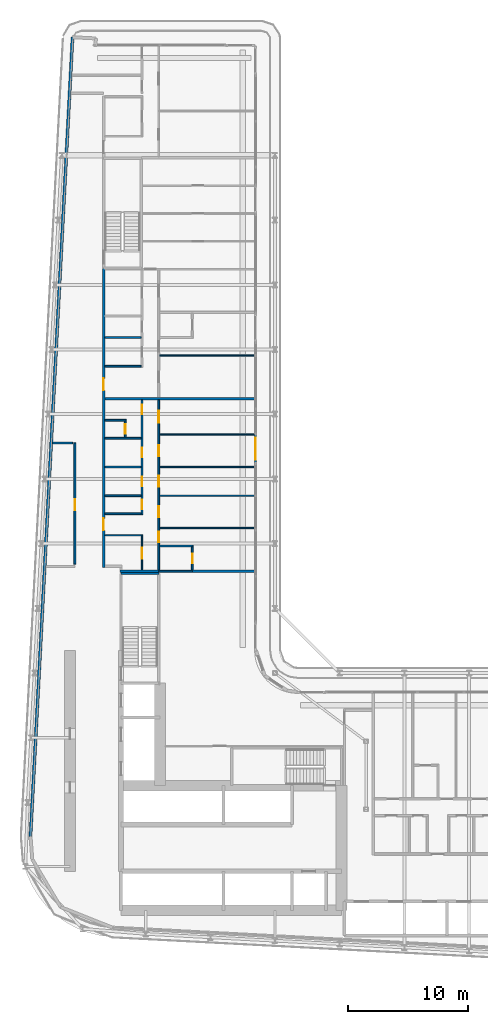
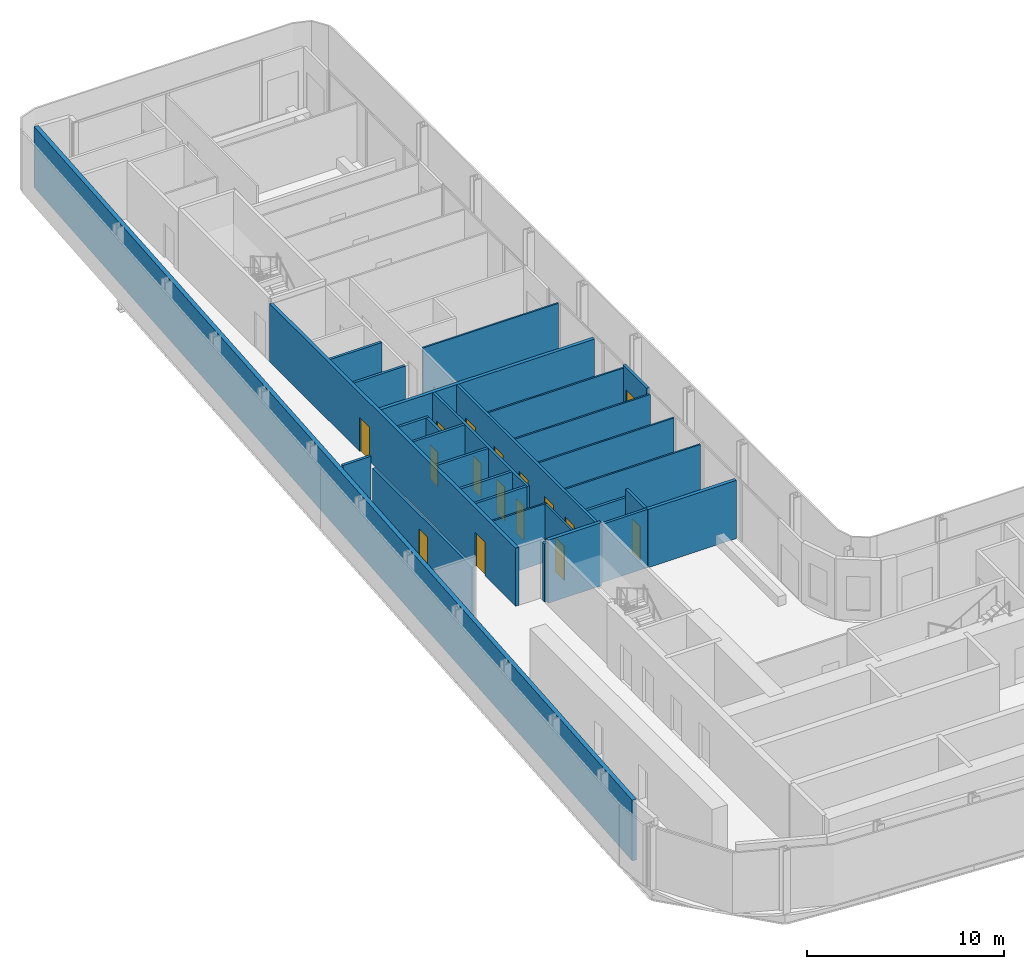
# One storey, part 18 of 29: 29 walls, 16 doors, 16 openings.
"""IFC4 building model written with IfcOpenShell, lengths in metres."""

from ifc_helpers import new_model, si_unit, direction, frame, frame_2d, origin, place, context, subcontext, project, spatial, rectangle, extrude, source, transform, mapped, material, layer, layer_set, type_object, element, fill, save


model = new_model("IFC4")

# Units and contexts
model_context = context("Model", 3, precision=1e-05, world=origin(), true_north=direction((0.0, 1.0)))
body_context = subcontext(model_context, "Body", "Model", "MODEL_VIEW")
ifc_project = project(units=[si_unit("LENGTHUNIT", "METRE"), si_unit("AREAUNIT", "SQUARE_METRE"), si_unit("VOLUMEUNIT", "CUBIC_METRE"), si_unit("PLANEANGLEUNIT", "RADIAN"), si_unit("MASSUNIT", "GRAM", prefix="KILO")], contexts=[model_context])

# Site, building, storey
site_placement = place(None, origin())
site = spatial("IfcSite", under=ifc_project, at=site_placement, CompositionType="ELEMENT")
building_placement = place(site_placement, origin())
building = spatial("IfcBuilding", under=site, at=building_placement, Name="Kheshtan School and Residences Tower", CompositionType="ELEMENT")
storey_placement = place(building_placement, frame((0.0, 0.0, 121.39990234375)))
storey = spatial("IfcBuildingStorey", under=building, at=storey_placement, Name="L28", CompositionType="ELEMENT", Elevation=121.39990234375)

# Wall, openings, doors
ifc_material_1 = material(Name="Gypsum board on steel studs with fire boards", Category="steel")
ifc_layer_1 = layer(ifc_material_1, 0.199951171875)
ifc_layer_set_1 = layer_set([ifc_layer_1], Name="Corridor wall 200")
wall_type_1 = type_object("IfcWallType", Name="Corridor wall 200", PredefinedType="PARTITIONING", material=ifc_layer_set_1)
wall_1_placement = place(storey_placement, frame((33.300048828125, 54.39990234375, 0.0), z_axis=(0.0, 0.0, 1.0), x_axis=(0.0, 1.0, 0.0)))
wall_1 = element("IfcWall", 1, at=wall_1_placement, inside=storey, type_object=wall_type_1, Name="Partition L28-003", PredefinedType="PARTITIONING", context=body_context, shape_type="SweptSolid", body=[
    extrude(rectangle(XDim=24.9501953125, YDim=0.199951171875, at=frame_2d((12.47509765625, 0.0))), origin(), (0.0, 0.0, 1.0), 3.60009765625),
])
opening_1_placement = place(wall_1_placement, frame((3.10009765625, 0.0, 0.0)))
opening_1 = element("IfcOpeningElement", 2, at=opening_1_placement, cuts=wall_1, Name="Opening D27-040", PredefinedType="OPENING", context=body_context, shape_type="SweptSolid", body=[
    extrude(rectangle(XDim=1.0, YDim=2.10009765625, at=frame_2d((0.5, 1.050048828125))), frame((0.0, 0.10986328125, 0.0), z_axis=(0.0, -1.0, 0.0), x_axis=(1.0, 0.0, 0.0)), (0.0, 0.0, 1.0), 0.219970703125),
])
opening_2_placement = place(wall_1_placement, frame((14.800048828125, 0.0, 0.0)))
opening_2 = element("IfcOpeningElement", 3, at=opening_2_placement, cuts=wall_1, Name="Opening D27-051", PredefinedType="OPENING", context=body_context, shape_type="SweptSolid", body=[
    extrude(rectangle(XDim=1.0, YDim=2.10009765625, at=frame_2d((0.5, 1.050048828125))), frame((0.0, 0.10986328125, 0.0), z_axis=(0.0, -1.0, 0.0), x_axis=(1.0, 0.0, 0.0)), (0.0, 0.0, 1.0), 0.219970703125),
])
ifc_material_2 = material(Name="Steel-framed fire-resisting door leaf", Category="steel")
door_type_1 = type_object("IfcDoorType", Name="Fire door FD30S 1000 x 2100", OperationType="SINGLE_SWING_LEFT", PredefinedType="DOOR", material=ifc_material_2)
shared_shape_1 = source(origin(), body_context, "Body", "SweptSolid", [
    extrude(rectangle(XDim=1.0, YDim=2.10009765625, at=frame_2d((0.5, 1.050048828125))), frame((0.0, 0.02490234375, 0.0), z_axis=(0.0, -1.0, 0.0), x_axis=(1.0, 0.0, 0.0)), (0.0, 0.0, 1.0), 0.050048828125),
])
door_1_placement = place(opening_1_placement, origin())
door_1 = element("IfcDoor", 4, at=door_1_placement, inside=storey, type_object=door_type_1, Name="Door D27-040", OperationType="SINGLE_SWING_RIGHT", OverallHeight=2.10009765625, OverallWidth=1.0, PredefinedType="DOOR", context=body_context, shape_type="MappedRepresentation", body=[
    mapped(shared_shape_1, transform((0.0, 0.0, 0.0), x_axis=(1.0, 0.0, 0.0), y_axis=(0.0, 1.0, 0.0), z_axis=(0.0, 0.0, 1.0), scale=1.0)),
])
fill(opening_1, door_1)
door_2_placement = place(opening_2_placement, origin())
door_2 = element("IfcDoor", 5, at=door_2_placement, inside=storey, type_object=door_type_1, Name="Door D27-051", OperationType="SINGLE_SWING_RIGHT", OverallHeight=2.10009765625, OverallWidth=1.0, PredefinedType="DOOR", context=body_context, shape_type="MappedRepresentation", body=[
    mapped(shared_shape_1, transform((0.0, 0.0, 0.0), x_axis=(1.0, 0.0, 0.0), y_axis=(0.0, 1.0, 0.0), z_axis=(0.0, 0.0, 1.0), scale=1.0)),
])
fill(opening_2, door_2)

# Wall
ifc_material_3 = material(Name="Concrete C40/50 with ceramic cladding and mineral wool insulation", Category="concrete")
ifc_layer_2 = layer(ifc_material_3, 0.25)
ifc_layer_set_2 = layer_set([ifc_layer_2], Name="External wall 250 ceramic clad")
wall_type_2 = type_object("IfcWallType", Name="External wall 250 ceramic clad", PredefinedType="SOLIDWALL", material=ifc_layer_set_2)
wall_2_placement = place(storey_placement, frame((27.195068359375, 31.968994140625, 0.0), z_axis=(0.0, 0.0, 1.0), x_axis=(0.052554995867, 0.998618031286, 0.0)))
element("IfcWall", 6, at=wall_2_placement, inside=storey, type_object=wall_type_2, Name="External wall L28 4", PredefinedType="SOLIDWALL", context=body_context, shape_type="SweptSolid", body=[
    extrude(rectangle(XDim=66.787353515625, YDim=0.25, at=frame_2d((33.3935546875, 0.0))), origin(), (0.0, 0.0, 1.0), 3.75),
])

# Wall, opening, door
ifc_material_4 = material(Name="Aluminium frame wall with insulated infill", Category="aluminium")
ifc_layer_3 = layer(ifc_material_4, 0.14990234375)
ifc_layer_set_3 = layer_set([ifc_layer_3], Name="Glazing frame wall 150")
wall_type_3 = type_object("IfcWallType", Name="Glazing frame wall 150", PredefinedType="SOLIDWALL", material=ifc_layer_set_3)
wall_3_placement = place(storey_placement, frame((45.97509765625, 65.51806640625, 0.0), z_axis=(0.0, 0.0, 1.0), x_axis=(0.0, -1.0, 0.0)))
wall_3 = element("IfcWall", 7, at=wall_3_placement, inside=storey, type_object=wall_type_3, Name="Balcony door wall L28 8.4", PredefinedType="SOLIDWALL", context=body_context, shape_type="SweptSolid", body=[
    extrude(rectangle(XDim=2.400146484375, YDim=0.14990234375, at=frame_2d((1.2001953125, 0.0))), origin(), (0.0, 0.0, 1.0), 3.75),
])
opening_3_placement = place(wall_3_placement, frame((0.300048828125, 0.0, 0.0)))
opening_3 = element("IfcOpeningElement", 8, at=opening_3_placement, cuts=wall_3, Name="Opening BD", PredefinedType="OPENING", context=body_context, shape_type="SweptSolid", body=[
    extrude(rectangle(XDim=1.800048828125, YDim=2.39990234375, at=frame_2d((0.89990234375, 1.199951171875))), frame((0.0, 0.0849609375, 0.0), z_axis=(0.0, -1.0, 0.0), x_axis=(1.0, 0.0, 0.0)), (0.0, 0.0, 1.0), 0.169921875),
])
ifc_material_5 = material(Name="Clear low-e glass in thermally broken aluminium frame", Category="aluminium")
door_type_2 = type_object("IfcDoorType", Name="Balcony sliding door", OperationType="SLIDING_TO_LEFT", PredefinedType="DOOR", material=ifc_material_5)
shared_shape_2 = source(origin(), body_context, "Body", "SweptSolid", [
    extrude(rectangle(XDim=1.800048828125, YDim=2.39990234375, at=frame_2d((0.89990234375, 1.199951171875))), frame((0.0, 0.02490234375, 0.0), z_axis=(0.0, -1.0, 0.0), x_axis=(1.0, 0.0, 0.0)), (0.0, 0.0, 1.0), 0.050048828125),
])
door_3_placement = place(opening_3_placement, origin())
door_3 = element("IfcDoor", 9, at=door_3_placement, inside=storey, type_object=door_type_2, Name="Balcony door L28 8.4", OperationType="SLIDING_TO_LEFT", OverallHeight=2.39990234375, OverallWidth=1.800048828125, PredefinedType="DOOR", context=body_context, shape_type="MappedRepresentation", body=[
    mapped(shared_shape_2, transform((0.0, 0.0, 0.0), x_axis=(1.0, 0.0, 0.0), y_axis=(0.0, 1.0, 0.0), z_axis=(0.0, 0.0, 1.0), scale=1.0)),
])
fill(opening_3, door_3)

# Wall
ifc_material_6 = material(Name="Gypsum board on steel studs", Category="steel")
ifc_layer_4 = layer(ifc_material_6, 0.10009765625)
ifc_layer_set_4 = layer_set([ifc_layer_4], Name="Gypsum partition 100")
wall_type_4 = type_object("IfcWallType", Name="Gypsum partition 100", PredefinedType="PARTITIONING", material=ifc_layer_set_4)
wall_4_placement = place(storey_placement, frame((33.39990234375, 57.10009765625, 0.0), z_axis=(0.0, 0.0, 1.0), x_axis=(1.0, 0.0, 0.0)))
element("IfcWall", 10, at=wall_4_placement, inside=storey, type_object=wall_type_4, Name="Partition L28-006", PredefinedType="PARTITIONING", context=body_context, shape_type="SweptSolid", body=[
    extrude(rectangle(XDim=3.150146484375, YDim=0.10009765625, at=frame_2d((1.5751953125, 0.0))), origin(), (0.0, 0.0, 1.0), 3.60009765625),
])

# Wall, opening, door
wall_5_placement = place(storey_placement, frame((36.5, 54.199951171875, 0.0), z_axis=(0.0, 0.0, 1.0), x_axis=(0.0, 1.0, 0.0)))
wall_5 = element("IfcWall", 11, at=wall_5_placement, inside=storey, type_object=wall_type_4, Name="Partition L28-022", PredefinedType="PARTITIONING", context=body_context, shape_type="SweptSolid", body=[
    extrude(rectangle(XDim=2.85009765625, YDim=0.10009765625, at=frame_2d((1.425048828125, 0.0))), origin(), (0.0, 0.0, 1.0), 3.60009765625),
])
opening_4_placement = place(wall_5_placement, frame((0.949951171875, 0.0, 0.0)))
opening_4 = element("IfcOpeningElement", 12, at=opening_4_placement, cuts=wall_5, Name="Opening D27-041", PredefinedType="OPENING", context=body_context, shape_type="SweptSolid", body=[
    extrude(rectangle(XDim=0.89990234375, YDim=2.10009765625, at=frame_2d((0.449951171875, 1.050048828125))), frame((0.0, 0.06005859375, 0.0), z_axis=(0.0, -1.0, 0.0), x_axis=(1.0, 0.0, 0.0)), (0.0, 0.0, 1.0), 0.1201171875),
])
ifc_material_7 = material(Name="Veneered timber door leaf", Category="wood")
door_type_3 = type_object("IfcDoorType", Name="Door 900 x 2100", OperationType="SINGLE_SWING_LEFT", PredefinedType="DOOR", material=ifc_material_7)
shared_shape_3 = source(origin(), body_context, "Body", "SweptSolid", [
    extrude(rectangle(XDim=0.89990234375, YDim=2.10009765625, at=frame_2d((0.449951171875, 1.050048828125))), frame((0.0, 0.02490234375, 0.0), z_axis=(0.0, -1.0, 0.0), x_axis=(1.0, 0.0, 0.0)), (0.0, 0.0, 1.0), 0.050048828125),
])
door_4_placement = place(opening_4_placement, origin())
door_4 = element("IfcDoor", 13, at=door_4_placement, inside=storey, type_object=door_type_3, Name="Door D27-041", OperationType="SINGLE_SWING_RIGHT", OverallHeight=2.10009765625, OverallWidth=0.89990234375, PredefinedType="DOOR", context=body_context, shape_type="MappedRepresentation", body=[
    mapped(shared_shape_3, transform((0.0, 0.0, 0.0), x_axis=(1.0, 0.0, 0.0), y_axis=(0.0, 1.0, 0.0), z_axis=(0.0, 0.0, 1.0), scale=1.0)),
])
fill(opening_4, door_4)

# Walls
for number, where, z_axis, x_axis, name in (
    (14, (37.97509765625, 57.699951171875, 0.0), (0.0, 0.0, 1.0), (1.0, 0.0, 0.0), "Partition L28-037"),
    (15, (37.97509765625, 60.39990234375, 0.0), (0.0, 0.0, 1.0), (1.0, 0.0, 0.0), "Partition L28-038"),
    (16, (37.97509765625, 62.800048828125, 0.0), (0.0, 0.0, 1.0), (1.0, 0.0, 0.0), "Partition L28-039"),
    (17, (37.97509765625, 65.5, 0.0), (0.0, 0.0, 1.0), (1.0, 0.0, 0.0), "Partition L28-040"),
    (18, (37.97509765625, 72.10009765625, 0.0), (0.0, 0.0, 1.0), (1.0, 0.0, 0.0), "Partition L28-041"),
):
    element("IfcWall", number, at=place(storey_placement, frame(where, z_axis=z_axis, x_axis=x_axis)), inside=storey, type_object=wall_type_4, Name=name, PredefinedType="PARTITIONING", context=body_context, shape_type="SweptSolid", body=[
        extrude(rectangle(XDim=7.9248046875, YDim=0.10009765625, at=frame_2d((3.96240234375, 0.0))), origin(), (0.0, 0.0, 1.0), 3.60009765625),
    ])

# Wall, opening, door
ifc_material_8 = material(Name="Fire-board shaft wall system")
ifc_layer_5 = layer(ifc_material_8, 0.14990234375)
ifc_layer_set_5 = layer_set([ifc_layer_5], Name="Service room wall 150")
wall_type_5 = type_object("IfcWallType", Name="Service room wall 150", PredefinedType="PARTITIONING", material=ifc_layer_set_5)
wall_6_placement = place(storey_placement, frame((30.89990234375, 54.695068359375, 0.0), z_axis=(0.0, 0.0, 1.0), x_axis=(0.0, 1.0, 0.0)))
wall_6 = element("IfcWall", 19, at=wall_6_placement, inside=storey, type_object=wall_type_5, Name="Service room wall", PredefinedType="PARTITIONING", context=body_context, shape_type="SweptSolid", body=[
    extrude(rectangle(XDim=10.10498046875, YDim=0.14990234375, at=frame_2d((5.052490234375, 0.0))), origin(), (0.0, 0.0, 1.0), 3.072021484375),
])
opening_5_placement = place(wall_6_placement, frame((4.5048828125, 0.0, 0.0)))
opening_5 = element("IfcOpeningElement", 20, at=opening_5_placement, cuts=wall_6, Name="Opening SR90", PredefinedType="OPENING", context=body_context, shape_type="SweptSolid", body=[
    extrude(rectangle(XDim=0.89990234375, YDim=2.199951171875, at=frame_2d((0.449951171875, 1.10009765625))), frame((0.0, 0.0849609375, 0.0), z_axis=(0.0, -1.0, 0.0), x_axis=(1.0, 0.0, 0.0)), (0.0, 0.0, 1.0), 0.169921875),
])
ifc_material_9 = material(Name="Steel door leaf, galvanised", Category="steel")
door_type_4 = type_object("IfcDoorType", Name="Service room door 900 steel 90 min", OperationType="SINGLE_SWING_LEFT", PredefinedType="DOOR", material=ifc_material_9)
shared_shape_4 = source(origin(), body_context, "Body", "SweptSolid", [
    extrude(rectangle(XDim=0.89990234375, YDim=2.199951171875, at=frame_2d((0.449951171875, 1.10009765625))), frame((0.0, 0.02490234375, 0.0), z_axis=(0.0, -1.0, 0.0), x_axis=(1.0, 0.0, 0.0)), (0.0, 0.0, 1.0), 0.050048828125),
])
door_5_placement = place(opening_5_placement, origin())
door_5 = element("IfcDoor", 21, at=door_5_placement, inside=storey, type_object=door_type_4, Name="Service room door", OperationType="SINGLE_SWING_LEFT", OverallHeight=2.199951171875, OverallWidth=0.89990234375, PredefinedType="DOOR", context=body_context, shape_type="MappedRepresentation", body=[
    mapped(shared_shape_4, transform((0.0, 0.0, 0.0), x_axis=(1.0, 0.0, 0.0), y_axis=(0.0, 1.0, 0.0), z_axis=(0.0, 0.0, 1.0), scale=1.0)),
])
fill(opening_5, door_5)

# Walls
wall_7_placement = place(storey_placement, frame((29.050048828125, 64.800048828125, 0.0), z_axis=(0.0, 0.0, 1.0), x_axis=(1.0, 0.0, 0.0)))
element("IfcWall", 22, at=wall_7_placement, inside=storey, type_object=wall_type_5, Name="Service room wall", PredefinedType="PARTITIONING", context=body_context, shape_type="SweptSolid", body=[
    extrude(rectangle(XDim=1.655029296875, YDim=0.14990234375, at=frame_2d((0.82763671875, 0.0))), origin(), (0.0, 0.0, 1.0), 3.900146484375),
])
ifc_material_10 = material(Name="Concrete C40/50", Category="concrete")
ifc_layer_6 = layer(ifc_material_10, 0.199951171875)
ifc_layer_set_6 = layer_set([ifc_layer_6], Name="Stair enclosure wall 200 Concrete C40/50")
wall_type_6 = type_object("IfcWallType", Name="Stair enclosure wall 200 Concrete C40/50", PredefinedType="SHEAR", material=ifc_layer_set_6)
wall_8_placement = place(storey_placement, frame((34.75, 53.909912109375, 0.0), z_axis=(0.0, 0.0, 1.0), x_axis=(1.0, 0.0, 0.0)))
element("IfcWall", 23, at=wall_8_placement, inside=storey, type_object=wall_type_6, Name="Stair enclosure wall ST2", PredefinedType="SHEAR", context=body_context, shape_type="SweptSolid", body=[
    extrude(rectangle(XDim=3.14990234375, YDim=0.199951171875, at=frame_2d((1.574951171875, 0.0))), origin(), (0.0, 0.0, 1.0), 3.900146484375),
])
ifc_material_11 = material(Name="Twin gypsum board on steel studs with mineral wool", Category="steel")
ifc_layer_7 = layer(ifc_material_11, 0.199951171875)
ifc_layer_set_7 = layer_set([ifc_layer_7], Name="Unit demising wall 200")
wall_type_7 = type_object("IfcWallType", Name="Unit demising wall 200", PredefinedType="PARTITIONING", material=ifc_layer_set_7)
wall_9_placement = place(storey_placement, frame((33.39990234375, 68.5, 0.0), z_axis=(0.0, 0.0, 1.0), x_axis=(1.0, 0.0, 0.0)))
element("IfcWall", 24, at=wall_9_placement, inside=storey, type_object=wall_type_7, Name="Partition L28-012", PredefinedType="PARTITIONING", context=body_context, shape_type="SweptSolid", body=[
    extrude(rectangle(XDim=12.5, YDim=0.199951171875, at=frame_2d((6.25, 0.0))), origin(), (0.0, 0.0, 1.0), 3.60009765625),
])
wall_10_placement = place(storey_placement, frame((34.64990234375, 54.10009765625, 0.0), z_axis=(0.0, 0.0, 1.0), x_axis=(1.0, 0.0, 0.0)))
element("IfcWall", 25, at=wall_10_placement, inside=storey, type_object=wall_type_7, Name="Partition L28-019", PredefinedType="PARTITIONING", context=body_context, shape_type="SweptSolid", body=[
    extrude(rectangle(XDim=3.25, YDim=0.199951171875, at=frame_2d((1.625, 0.0))), origin(), (0.0, 0.0, 1.0), 3.60009765625),
])
wall_11_placement = place(storey_placement, frame((40.699951171875, 54.10009765625, 0.0), z_axis=(0.0, 0.0, 1.0), x_axis=(1.0, 0.0, 0.0)))
element("IfcWall", 26, at=wall_11_placement, inside=storey, type_object=wall_type_7, Name="Partition L28-045", PredefinedType="PARTITIONING", context=body_context, shape_type="SweptSolid", body=[
    extrude(rectangle(XDim=5.199951171875, YDim=0.199951171875, at=frame_2d((2.60009765625, 0.0))), origin(), (0.0, 0.0, 1.0), 3.60009765625),
])
ifc_material_12 = material(Name="Moisture-resistant gypsum board on steel studs", Category="steel")
ifc_layer_8 = layer(ifc_material_12, 0.14990234375)
ifc_layer_set_8 = layer_set([ifc_layer_8], Name="Wet-room partition 150")
wall_type_8 = type_object("IfcWallType", Name="Wet-room partition 150", PredefinedType="PARTITIONING", material=ifc_layer_set_8)
for number, where, z_axis, x_axis, name in (
    (27, (33.39990234375, 58.89990234375, 0.0), (0.0, 0.0, 1.0), (1.0, 0.0, 0.0), "Partition L28-007"),
    (28, (33.39990234375, 60.39990234375, 0.0), (0.0, 0.0, 1.0), (1.0, 0.0, 0.0), "Partition L28-008"),
    (29, (33.39990234375, 62.800048828125, 0.0), (0.0, 0.0, 1.0), (1.0, 0.0, 0.0), "Partition L28-009"),
    (30, (33.39990234375, 65.199951171875, 0.0), (0.0, 0.0, 1.0), (1.0, 0.0, 0.0), "Partition L28-010"),
):
    element("IfcWall", number, at=place(storey_placement, frame(where, z_axis=z_axis, x_axis=x_axis)), inside=storey, type_object=wall_type_8, Name=name, PredefinedType="PARTITIONING", context=body_context, shape_type="SweptSolid", body=[
        extrude(rectangle(XDim=3.025146484375, YDim=0.14990234375, at=frame_2d((1.5126953125, 0.0))), origin(), (0.0, 0.0, 1.0), 3.60009765625),
    ])
wall_12_placement = place(storey_placement, frame((33.39990234375, 66.699951171875, 0.0), z_axis=(0.0, 0.0, 1.0), x_axis=(1.0, 0.0, 0.0)))
element("IfcWall", 31, at=wall_12_placement, inside=storey, type_object=wall_type_8, Name="Partition L28-011", PredefinedType="PARTITIONING", context=body_context, shape_type="SweptSolid", body=[
    extrude(rectangle(XDim=1.775146484375, YDim=0.14990234375, at=frame_2d((0.8876953125, 0.0))), origin(), (0.0, 0.0, 1.0), 3.60009765625),
])
for number, where, z_axis, x_axis, name in (
    (32, (33.39990234375, 71.199951171875, 0.0), (0.0, 0.0, 1.0), (1.0, 0.0, 0.0), "Partition L28-013"),
    (33, (33.39990234375, 73.60009765625, 0.0), (0.0, 0.0, 1.0), (1.0, 0.0, 0.0), "Partition L28-014"),
):
    element("IfcWall", number, at=place(storey_placement, frame(where, z_axis=z_axis, x_axis=x_axis)), inside=storey, type_object=wall_type_8, Name=name, PredefinedType="PARTITIONING", context=body_context, shape_type="SweptSolid", body=[
        extrude(rectangle(XDim=3.025146484375, YDim=0.14990234375, at=frame_2d((1.5126953125, 0.0))), origin(), (0.0, 0.0, 1.0), 3.60009765625),
    ])

# Wall, opening, door
wall_13_placement = place(storey_placement, frame((35.10009765625, 65.27490234375, 0.0), z_axis=(0.0, 0.0, 1.0), x_axis=(0.0, 1.0, 0.0)))
wall_13 = element("IfcWall", 34, at=wall_13_placement, inside=storey, type_object=wall_type_8, Name="Partition L28-021", PredefinedType="PARTITIONING", context=body_context, shape_type="SweptSolid", body=[
    extrude(rectangle(XDim=1.35009765625, YDim=0.14990234375, at=frame_2d((0.675048828125, 0.0))), origin(), (0.0, 0.0, 1.0), 3.60009765625),
])
opening_6_placement = place(wall_13_placement, frame((0.27490234375, 0.0, 0.0)))
opening_6 = element("IfcOpeningElement", 35, at=opening_6_placement, cuts=wall_13, Name="Opening D27-044", PredefinedType="OPENING", context=body_context, shape_type="SweptSolid", body=[
    extrude(rectangle(XDim=0.800048828125, YDim=2.10009765625, at=frame_2d((0.39990234375, 1.050048828125))), frame((0.0, 0.0849609375, 0.0), z_axis=(0.0, -1.0, 0.0), x_axis=(1.0, 0.0, 0.0)), (0.0, 0.0, 1.0), 0.169921875),
])
door_type_5 = type_object("IfcDoorType", Name="Door 800 x 2100", OperationType="SINGLE_SWING_LEFT", PredefinedType="DOOR", material=ifc_material_7)
shared_shape_5 = source(origin(), body_context, "Body", "SweptSolid", [
    extrude(rectangle(XDim=0.800048828125, YDim=2.10009765625, at=frame_2d((0.39990234375, 1.050048828125))), frame((0.0, 0.02490234375, 0.0), z_axis=(0.0, -1.0, 0.0), x_axis=(1.0, 0.0, 0.0)), (0.0, 0.0, 1.0), 0.050048828125),
])
door_6_placement = place(opening_6_placement, origin())
door_6 = element("IfcDoor", 36, at=door_6_placement, inside=storey, type_object=door_type_5, Name="Door D27-044", OperationType="SINGLE_SWING_LEFT", OverallHeight=2.10009765625, OverallWidth=0.800048828125, PredefinedType="DOOR", context=body_context, shape_type="MappedRepresentation", body=[
    mapped(shared_shape_5, transform((0.0, 0.0, 0.0), x_axis=(1.0, 0.0, 0.0), y_axis=(0.0, 1.0, 0.0), z_axis=(0.0, 0.0, 1.0), scale=1.0)),
])
fill(opening_6, door_6)

# Wall, openings, doors
wall_14_placement = place(storey_placement, frame((36.5, 58.824951171875, 0.0), z_axis=(0.0, 0.0, 1.0), x_axis=(0.0, 1.0, 0.0)))
wall_14 = element("IfcWall", 37, at=wall_14_placement, inside=storey, type_object=wall_type_8, Name="Partition L28-023", PredefinedType="PARTITIONING", context=body_context, shape_type="SweptSolid", body=[
    extrude(rectangle(XDim=9.574951171875, YDim=0.14990234375, at=frame_2d((4.78759765625, 0.0))), origin(), (0.0, 0.0, 1.0), 3.60009765625),
])
opening_7_placement = place(wall_14_placement, frame((2.375, 0.0, 0.0)))
opening_7 = element("IfcOpeningElement", 38, at=opening_7_placement, cuts=wall_14, Name="Opening D27-035", PredefinedType="OPENING", context=body_context, shape_type="SweptSolid", body=[
    extrude(rectangle(XDim=0.800048828125, YDim=2.10009765625, at=frame_2d((0.39990234375, 1.050048828125))), frame((0.0, 0.0849609375, 0.0), z_axis=(0.0, -1.0, 0.0), x_axis=(1.0, 0.0, 0.0)), (0.0, 0.0, 1.0), 0.169921875),
])
opening_8_placement = place(wall_14_placement, frame((4.77490234375, 0.0, 0.0)))
opening_8 = element("IfcOpeningElement", 39, at=opening_8_placement, cuts=wall_14, Name="Opening D27-036", PredefinedType="OPENING", context=body_context, shape_type="SweptSolid", body=[
    extrude(rectangle(XDim=0.800048828125, YDim=2.10009765625, at=frame_2d((0.39990234375, 1.050048828125))), frame((0.0, 0.0849609375, 0.0), z_axis=(0.0, -1.0, 0.0), x_axis=(1.0, 0.0, 0.0)), (0.0, 0.0, 1.0), 0.169921875),
])
opening_9_placement = place(wall_14_placement, frame((8.375, 0.0, 0.0)))
opening_9 = element("IfcOpeningElement", 40, at=opening_9_placement, cuts=wall_14, Name="Opening D27-043", PredefinedType="OPENING", context=body_context, shape_type="SweptSolid", body=[
    extrude(rectangle(XDim=0.800048828125, YDim=2.10009765625, at=frame_2d((0.39990234375, 1.050048828125))), frame((0.0, 0.0849609375, 0.0), z_axis=(0.0, -1.0, 0.0), x_axis=(1.0, 0.0, 0.0)), (0.0, 0.0, 1.0), 0.169921875),
])
opening_10_placement = place(wall_14_placement, frame((0.425048828125, 0.0, 0.0)))
opening_10 = element("IfcOpeningElement", 41, at=opening_10_placement, cuts=wall_14, Name="Opening D27-047", PredefinedType="OPENING", context=body_context, shape_type="SweptSolid", body=[
    extrude(rectangle(XDim=0.800048828125, YDim=2.10009765625, at=frame_2d((0.39990234375, 1.050048828125))), frame((0.0, 0.0849609375, 0.0), z_axis=(0.0, -1.0, 0.0), x_axis=(1.0, 0.0, 0.0)), (0.0, 0.0, 1.0), 0.169921875),
])
door_7_placement = place(opening_7_placement, origin())
door_7 = element("IfcDoor", 42, at=door_7_placement, inside=storey, type_object=door_type_5, Name="Door D27-035", OperationType="SINGLE_SWING_RIGHT", OverallHeight=2.10009765625, OverallWidth=0.800048828125, PredefinedType="DOOR", context=body_context, shape_type="MappedRepresentation", body=[
    mapped(shared_shape_5, transform((0.0, 0.0, 0.0), x_axis=(1.0, 0.0, 0.0), y_axis=(0.0, 1.0, 0.0), z_axis=(0.0, 0.0, 1.0), scale=1.0)),
])
fill(opening_7, door_7)
door_8_placement = place(opening_8_placement, origin())
door_8 = element("IfcDoor", 43, at=door_8_placement, inside=storey, type_object=door_type_5, Name="Door D27-036", OperationType="SINGLE_SWING_RIGHT", OverallHeight=2.10009765625, OverallWidth=0.800048828125, PredefinedType="DOOR", context=body_context, shape_type="MappedRepresentation", body=[
    mapped(shared_shape_5, transform((0.0, 0.0, 0.0), x_axis=(1.0, 0.0, 0.0), y_axis=(0.0, 1.0, 0.0), z_axis=(0.0, 0.0, 1.0), scale=1.0)),
])
fill(opening_8, door_8)
door_9_placement = place(opening_9_placement, origin())
door_9 = element("IfcDoor", 44, at=door_9_placement, inside=storey, type_object=door_type_5, Name="Door D27-043", OperationType="SINGLE_SWING_RIGHT", OverallHeight=2.10009765625, OverallWidth=0.800048828125, PredefinedType="DOOR", context=body_context, shape_type="MappedRepresentation", body=[
    mapped(shared_shape_5, transform((0.0, 0.0, 0.0), x_axis=(1.0, 0.0, 0.0), y_axis=(0.0, 1.0, 0.0), z_axis=(0.0, 0.0, 1.0), scale=1.0)),
])
fill(opening_9, door_9)
door_10_placement = place(opening_10_placement, origin())
door_10 = element("IfcDoor", 45, at=door_10_placement, inside=storey, type_object=door_type_5, Name="Door D27-047", OperationType="SINGLE_SWING_RIGHT", OverallHeight=2.10009765625, OverallWidth=0.800048828125, PredefinedType="DOOR", context=body_context, shape_type="MappedRepresentation", body=[
    mapped(shared_shape_5, transform((0.0, 0.0, 0.0), x_axis=(1.0, 0.0, 0.0), y_axis=(0.0, 1.0, 0.0), z_axis=(0.0, 0.0, 1.0), scale=1.0)),
])
fill(opening_10, door_10)

# Wall
wall_15_placement = place(storey_placement, frame((37.89990234375, 54.10009765625, 0.0), z_axis=(0.0, 0.0, 1.0), x_axis=(1.0, 0.0, 0.0)))
element("IfcWall", 46, at=wall_15_placement, inside=storey, type_object=wall_type_8, Name="Partition L28-031", PredefinedType="PARTITIONING", context=body_context, shape_type="SweptSolid", body=[
    extrude(rectangle(XDim=2.800048828125, YDim=0.14990234375, at=frame_2d((1.39990234375, 0.0))), origin(), (0.0, 0.0, 1.0), 3.60009765625),
])

# Wall, openings, doors
wall_16_placement = place(storey_placement, frame((37.89990234375, 54.199951171875, 0.0), z_axis=(0.0, 0.0, 1.0), x_axis=(0.0, 1.0, 0.0)))
wall_16 = element("IfcWall", 47, at=wall_16_placement, inside=storey, type_object=wall_type_8, Name="Partition L28-032", PredefinedType="PARTITIONING", context=body_context, shape_type="SweptSolid", body=[
    extrude(rectangle(XDim=14.199951171875, YDim=0.14990234375, at=frame_2d((7.10009765625, 0.0))), origin(), (0.0, 0.0, 1.0), 3.60009765625),
])
opening_11_placement = place(wall_16_placement, frame((4.39990234375, 0.0, 0.0)))
opening_11 = element("IfcOpeningElement", 48, at=opening_11_placement, cuts=wall_16, Name="Opening D27-037", PredefinedType="OPENING", context=body_context, shape_type="SweptSolid", body=[
    extrude(rectangle(XDim=0.89990234375, YDim=2.10009765625, at=frame_2d((0.449951171875, 1.050048828125))), frame((0.0, 0.0849609375, 0.0), z_axis=(0.0, -1.0, 0.0), x_axis=(1.0, 0.0, 0.0)), (0.0, 0.0, 1.0), 0.169921875),
])
opening_12_placement = place(wall_16_placement, frame((9.5, 0.0, 0.0)))
opening_12 = element("IfcOpeningElement", 49, at=opening_12_placement, cuts=wall_16, Name="Opening D27-038", PredefinedType="OPENING", context=body_context, shape_type="SweptSolid", body=[
    extrude(rectangle(XDim=0.89990234375, YDim=2.10009765625, at=frame_2d((0.449951171875, 1.050048828125))), frame((0.0, 0.0849609375, 0.0), z_axis=(0.0, -1.0, 0.0), x_axis=(1.0, 0.0, 0.0)), (0.0, 0.0, 1.0), 0.169921875),
])
opening_13_placement = place(wall_16_placement, frame((12.300048828125, 0.0, 0.0)))
opening_13 = element("IfcOpeningElement", 50, at=opening_13_placement, cuts=wall_16, Name="Opening D27-042", PredefinedType="OPENING", context=body_context, shape_type="SweptSolid", body=[
    extrude(rectangle(XDim=1.0, YDim=2.10009765625, at=frame_2d((0.5, 1.050048828125))), frame((0.0, 0.0849609375, 0.0), z_axis=(0.0, -1.0, 0.0), x_axis=(1.0, 0.0, 0.0)), (0.0, 0.0, 1.0), 0.169921875),
])
opening_14_placement = place(wall_16_placement, frame((6.949951171875, 0.0, 0.0)))
opening_14 = element("IfcOpeningElement", 51, at=opening_14_placement, cuts=wall_16, Name="Opening D27-045", PredefinedType="OPENING", context=body_context, shape_type="SweptSolid", body=[
    extrude(rectangle(XDim=0.89990234375, YDim=2.10009765625, at=frame_2d((0.449951171875, 1.050048828125))), frame((0.0, 0.0849609375, 0.0), z_axis=(0.0, -1.0, 0.0), x_axis=(1.0, 0.0, 0.0)), (0.0, 0.0, 1.0), 0.169921875),
])
opening_15_placement = place(wall_16_placement, frame((2.300048828125, 0.0, 0.0)))
opening_15 = element("IfcOpeningElement", 52, at=opening_15_placement, cuts=wall_16, Name="Opening D27-046", PredefinedType="OPENING", context=body_context, shape_type="SweptSolid", body=[
    extrude(rectangle(XDim=0.89990234375, YDim=2.10009765625, at=frame_2d((0.449951171875, 1.050048828125))), frame((0.0, 0.0849609375, 0.0), z_axis=(0.0, -1.0, 0.0), x_axis=(1.0, 0.0, 0.0)), (0.0, 0.0, 1.0), 0.169921875),
])
door_type_6 = type_object("IfcDoorType", Name="Door 1000 x 2100", OperationType="SINGLE_SWING_LEFT", PredefinedType="DOOR", material=ifc_material_7)
shared_shape_6 = source(origin(), body_context, "Body", "SweptSolid", [
    extrude(rectangle(XDim=1.0, YDim=2.10009765625, at=frame_2d((0.5, 1.050048828125))), frame((0.0, 0.02490234375, 0.0), z_axis=(0.0, -1.0, 0.0), x_axis=(1.0, 0.0, 0.0)), (0.0, 0.0, 1.0), 0.050048828125),
])
door_11_placement = place(opening_13_placement, origin())
door_11 = element("IfcDoor", 53, at=door_11_placement, inside=storey, type_object=door_type_6, Name="Door D27-042", OperationType="SINGLE_SWING_RIGHT", OverallHeight=2.10009765625, OverallWidth=1.0, PredefinedType="DOOR", context=body_context, shape_type="MappedRepresentation", body=[
    mapped(shared_shape_6, transform((0.0, 0.0, 0.0), x_axis=(1.0, 0.0, 0.0), y_axis=(0.0, 1.0, 0.0), z_axis=(0.0, 0.0, 1.0), scale=1.0)),
])
fill(opening_13, door_11)
door_12_placement = place(opening_11_placement, origin())
door_12 = element("IfcDoor", 54, at=door_12_placement, inside=storey, type_object=door_type_3, Name="Door D27-037", OperationType="SINGLE_SWING_LEFT", OverallHeight=2.10009765625, OverallWidth=0.89990234375, PredefinedType="DOOR", context=body_context, shape_type="MappedRepresentation", body=[
    mapped(shared_shape_3, transform((0.0, 0.0, 0.0), x_axis=(1.0, 0.0, 0.0), y_axis=(0.0, 1.0, 0.0), z_axis=(0.0, 0.0, 1.0), scale=1.0)),
])
fill(opening_11, door_12)
door_13_placement = place(opening_12_placement, origin())
door_13 = element("IfcDoor", 55, at=door_13_placement, inside=storey, type_object=door_type_3, Name="Door D27-038", OperationType="SINGLE_SWING_RIGHT", OverallHeight=2.10009765625, OverallWidth=0.89990234375, PredefinedType="DOOR", context=body_context, shape_type="MappedRepresentation", body=[
    mapped(shared_shape_3, transform((0.0, 0.0, 0.0), x_axis=(1.0, 0.0, 0.0), y_axis=(0.0, 1.0, 0.0), z_axis=(0.0, 0.0, 1.0), scale=1.0)),
])
fill(opening_12, door_13)
door_14_placement = place(opening_14_placement, origin())
door_14 = element("IfcDoor", 56, at=door_14_placement, inside=storey, type_object=door_type_3, Name="Door D27-045", OperationType="SINGLE_SWING_LEFT", OverallHeight=2.10009765625, OverallWidth=0.89990234375, PredefinedType="DOOR", context=body_context, shape_type="MappedRepresentation", body=[
    mapped(shared_shape_3, transform((0.0, 0.0, 0.0), x_axis=(1.0, 0.0, 0.0), y_axis=(0.0, 1.0, 0.0), z_axis=(0.0, 0.0, 1.0), scale=1.0)),
])
fill(opening_14, door_14)
door_15_placement = place(opening_15_placement, origin())
door_15 = element("IfcDoor", 57, at=door_15_placement, inside=storey, type_object=door_type_3, Name="Door D27-046", OperationType="SINGLE_SWING_RIGHT", OverallHeight=2.10009765625, OverallWidth=0.89990234375, PredefinedType="DOOR", context=body_context, shape_type="MappedRepresentation", body=[
    mapped(shared_shape_3, transform((0.0, 0.0, 0.0), x_axis=(1.0, 0.0, 0.0), y_axis=(0.0, 1.0, 0.0), z_axis=(0.0, 0.0, 1.0), scale=1.0)),
])
fill(opening_15, door_15)

# Wall
wall_17_placement = place(storey_placement, frame((37.97509765625, 56.199951171875, 0.0), z_axis=(0.0, 0.0, 1.0), x_axis=(1.0, 0.0, 0.0)))
element("IfcWall", 58, at=wall_17_placement, inside=storey, type_object=wall_type_8, Name="Partition L28-036", PredefinedType="PARTITIONING", context=body_context, shape_type="SweptSolid", body=[
    extrude(rectangle(XDim=2.7998046875, YDim=0.14990234375, at=frame_2d((1.39990234375, 0.0))), origin(), (0.0, 0.0, 1.0), 3.072021484375),
])

# Wall, opening, door
wall_18_placement = place(storey_placement, frame((40.699951171875, 54.199951171875, 0.0), z_axis=(0.0, 0.0, 1.0), x_axis=(0.0, 1.0, 0.0)))
wall_18 = element("IfcWall", 59, at=wall_18_placement, inside=storey, type_object=wall_type_8, Name="Partition L28-046", PredefinedType="PARTITIONING", context=body_context, shape_type="SweptSolid", body=[
    extrude(rectangle(XDim=1.925048828125, YDim=0.14990234375, at=frame_2d((0.96240234375, 0.0))), origin(), (0.0, 0.0, 1.0), 3.60009765625),
])
opening_16_placement = place(wall_18_placement, frame((0.550048828125, 0.0, 0.0)))
opening_16 = element("IfcOpeningElement", 60, at=opening_16_placement, cuts=wall_18, Name="Opening D27-039", PredefinedType="OPENING", context=body_context, shape_type="SweptSolid", body=[
    extrude(rectangle(XDim=0.800048828125, YDim=2.10009765625, at=frame_2d((0.39990234375, 1.050048828125))), frame((0.0, 0.0849609375, 0.0), z_axis=(0.0, -1.0, 0.0), x_axis=(1.0, 0.0, 0.0)), (0.0, 0.0, 1.0), 0.169921875),
])
door_16_placement = place(opening_16_placement, origin())
door_16 = element("IfcDoor", 61, at=door_16_placement, inside=storey, type_object=door_type_5, Name="Door D27-039", OperationType="SINGLE_SWING_RIGHT", OverallHeight=2.10009765625, OverallWidth=0.800048828125, PredefinedType="DOOR", context=body_context, shape_type="MappedRepresentation", body=[
    mapped(shared_shape_5, transform((0.0, 0.0, 0.0), x_axis=(1.0, 0.0, 0.0), y_axis=(0.0, 1.0, 0.0), z_axis=(0.0, 0.0, 1.0), scale=1.0)),
])
fill(opening_16, door_16)

save(model, "model.ifc")
